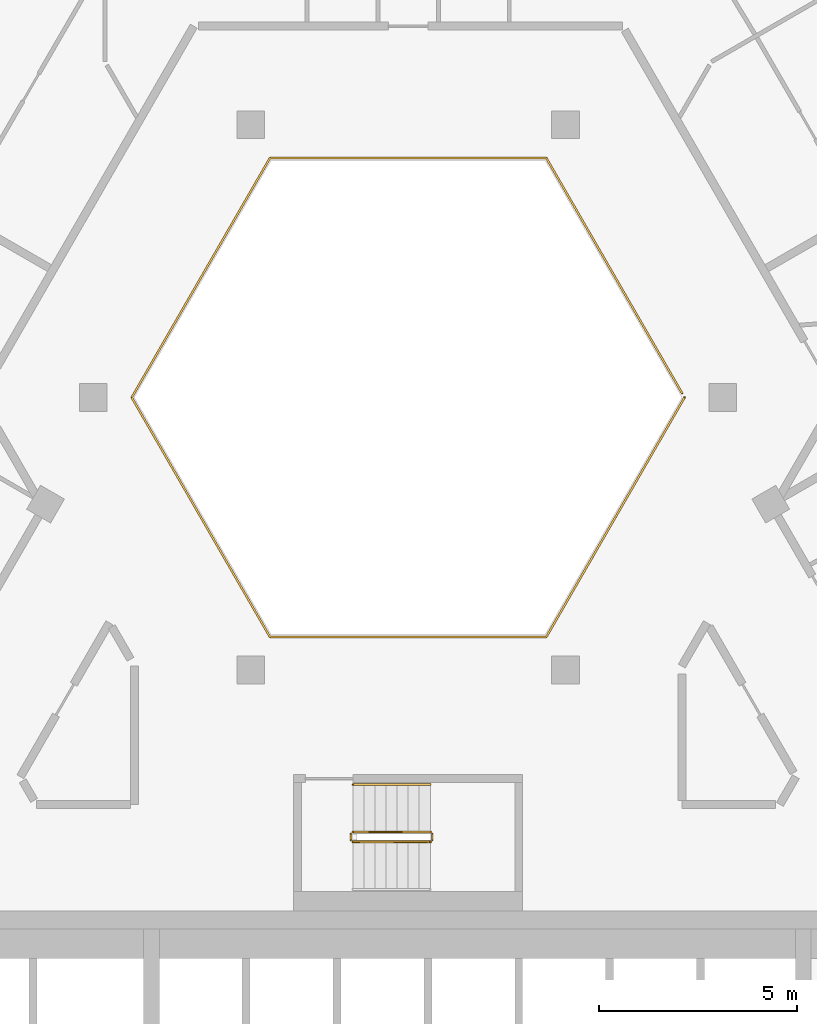
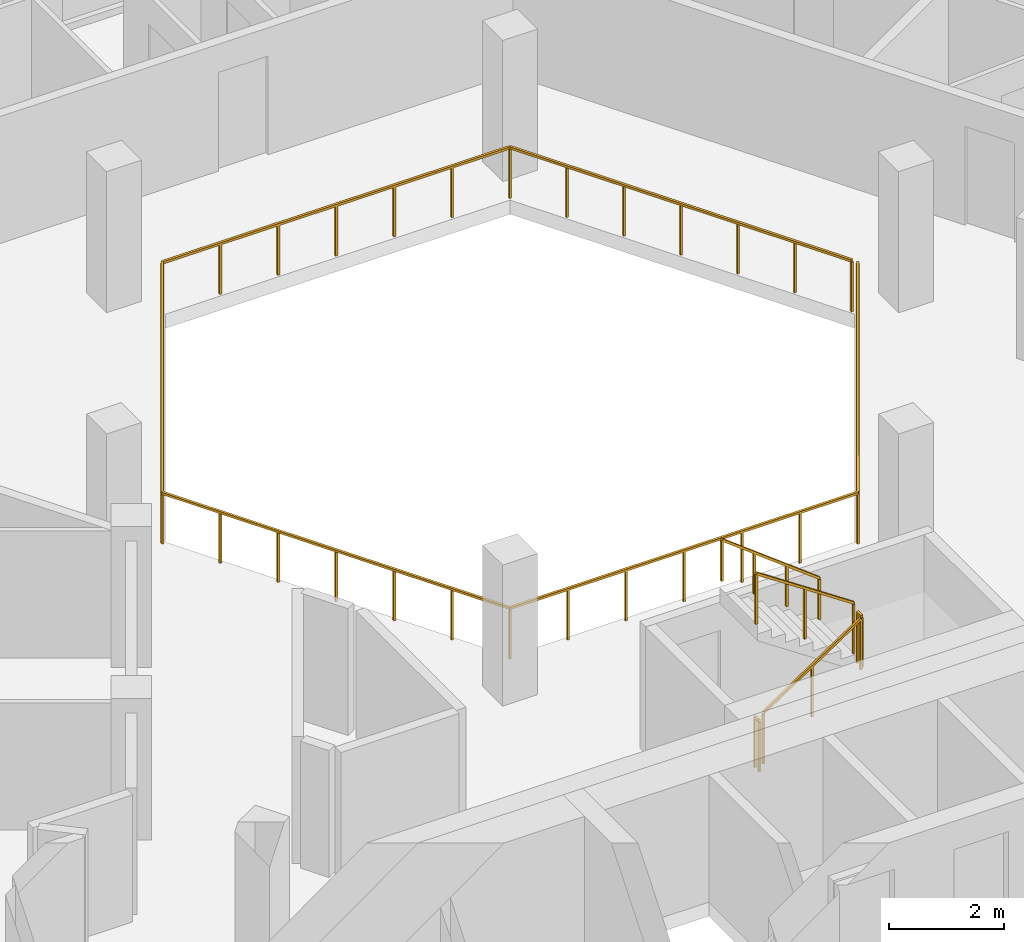
# One storey, part 12 of 14: 6 railings.
"""IFC4 building model written with IfcOpenShell, lengths in metres."""

from ifc_helpers import new_model, si_unit, direction, frame, origin, origin_2d, place, context, subcontext, project, spatial, rectangle, extrude, material, type_object, element, save


model = new_model("IFC4")

# Units and contexts
model_context = context("Model", 3, precision=1e-05, world=origin(), true_north=direction((0.0, 1.0)))
body_context = subcontext(model_context, "Body", "Model", "MODEL_VIEW")
ifc_project = project(units=[si_unit("LENGTHUNIT", "METRE"), si_unit("AREAUNIT", "SQUARE_METRE"), si_unit("VOLUMEUNIT", "CUBIC_METRE"), si_unit("PLANEANGLEUNIT", "RADIAN"), si_unit("MASSUNIT", "GRAM", prefix="KILO")], contexts=[model_context])

# Site, building, storey
site_placement = place(None, origin())
site = spatial("IfcSite", under=ifc_project, at=site_placement, CompositionType="ELEMENT")
building_placement = place(site_placement, origin())
building = spatial("IfcBuilding", under=site, at=building_placement, Name="Beryl Residences", CompositionType="ELEMENT")
storey_placement = place(building_placement, frame((0.0, 0.0, 229.800048828125)))
storey = spatial("IfcBuildingStorey", under=building, at=storey_placement, Name="L71", CompositionType="ELEMENT", Elevation=229.800048828125)

# Railings
ifc_material_1 = material(Name="Stainless steel balustrade with glass infill", Category="steel")
railing_type_1 = type_object("IfcRailingType", Name="EG1 edge guard 1100 mm", PredefinedType="GUARDRAIL", material=ifc_material_1)
railing_1_placement = place(storey_placement, frame((6.9970703125, 8.0, 0.0)))
element("IfcRailing", 1, at=railing_1_placement, inside=storey, type_object=railing_type_1, Name="L71 atrium guard", PredefinedType="GUARDRAIL", context=body_context, shape_type="SweptSolid", body=[
    extrude(rectangle(XDim=0.048095703125, YDim=0.048095703125, at=origin_2d()), frame((0.0, 0.0, 1.076171875), z_axis=(-0.499921796684, -0.866070549782, 0.0), x_axis=(0.866070549782, -0.499921796684, 0.0)), (0.0, 0.0, 1.0), 6.9970703125),
    extrude(rectangle(XDim=0.048095703125, YDim=0.048095703125, at=origin_2d()), frame((-3.498046875, -6.06005859375, 1.076171875), z_axis=(-1.0, 0.0, 0.0), x_axis=(0.0, -1.0, 0.0)), (0.0, 0.0, 1.0), 6.998046875),
    extrude(rectangle(XDim=0.048095703125, YDim=0.048095703125, at=origin_2d()), frame((-10.49609375, -6.06005859375, 1.076171875), z_axis=(-0.499921796684, 0.866070549782, 0.0), x_axis=(-0.866070549782, -0.499921796684, 0.0)), (0.0, 0.0, 1.0), 6.9970703125),
    extrude(rectangle(XDim=0.048095703125, YDim=0.048095703125, at=origin_2d()), frame((-13.994140625, 0.0, 1.076171875), z_axis=(0.499921796684, 0.866070549782, 0.0), x_axis=(-0.866070549782, 0.499921796684, 0.0)), (0.0, 0.0, 1.0), 6.9970703125),
    extrude(rectangle(XDim=0.048095703125, YDim=0.048095703125, at=origin_2d()), frame((-10.49609375, 6.06005859375, 1.076171875), z_axis=(1.0, 0.0, 0.0), x_axis=(0.0, 1.0, 0.0)), (0.0, 0.0, 1.0), 6.998046875),
    extrude(rectangle(XDim=0.048095703125, YDim=0.048095703125, at=origin_2d()), frame((-3.498046875, 6.06005859375, 1.076171875), z_axis=(0.499919131929, -0.866072087953, 0.0), x_axis=(0.866072087953, 0.499919131929, 0.0)), (0.0, 0.0, 1.0), 6.877197265625),
    extrude(rectangle(XDim=0.0419921875, YDim=0.0419921875, at=origin_2d()), origin(), (0.0, 0.0, 1.0), 1.052001953125),
    extrude(rectangle(XDim=0.0419921875, YDim=0.0419921875, at=origin_2d()), frame((-0.5830078125, -1.010009765625, 0.0)), (0.0, 0.0, 1.0), 1.052001953125),
    extrude(rectangle(XDim=0.0419921875, YDim=0.0419921875, at=origin_2d()), frame((-1.166015625, -2.02001953125, 0.0)), (0.0, 0.0, 1.0), 1.052001953125),
    extrude(rectangle(XDim=0.0419921875, YDim=0.0419921875, at=origin_2d()), frame((-1.7490234375, -3.030029296875, 0.0)), (0.0, 0.0, 1.0), 1.052001953125),
    extrude(rectangle(XDim=0.0419921875, YDim=0.0419921875, at=origin_2d()), frame((-2.33203125, -4.0400390625, 0.0)), (0.0, 0.0, 1.0), 1.052001953125),
    extrude(rectangle(XDim=0.0419921875, YDim=0.0419921875, at=origin_2d()), frame((-2.9150390625, -5.050048828125, 0.0)), (0.0, 0.0, 1.0), 1.052001953125),
    extrude(rectangle(XDim=0.0419921875, YDim=0.0419921875, at=origin_2d()), frame((-3.498046875, -6.06005859375, 0.0)), (0.0, 0.0, 1.0), 1.052001953125),
    extrude(rectangle(XDim=0.0419921875, YDim=0.0419921875, at=origin_2d()), frame((-4.664306640625, -6.06005859375, 0.0)), (0.0, 0.0, 1.0), 1.052001953125),
    extrude(rectangle(XDim=0.0419921875, YDim=0.0419921875, at=origin_2d()), frame((-5.830810546875, -6.06005859375, 0.0)), (0.0, 0.0, 1.0), 1.052001953125),
    extrude(rectangle(XDim=0.0419921875, YDim=0.0419921875, at=origin_2d()), frame((-6.9970703125, -6.06005859375, 0.0)), (0.0, 0.0, 1.0), 1.052001953125),
    extrude(rectangle(XDim=0.0419921875, YDim=0.0419921875, at=origin_2d()), frame((-8.163330078125, -6.06005859375, 0.0)), (0.0, 0.0, 1.0), 1.052001953125),
    extrude(rectangle(XDim=0.0419921875, YDim=0.0419921875, at=origin_2d()), frame((-9.329833984375, -6.06005859375, 0.0)), (0.0, 0.0, 1.0), 1.052001953125),
    extrude(rectangle(XDim=0.0419921875, YDim=0.0419921875, at=origin_2d()), frame((-10.49609375, -6.06005859375, 0.0)), (0.0, 0.0, 1.0), 1.052001953125),
    extrude(rectangle(XDim=0.0419921875, YDim=0.0419921875, at=origin_2d()), frame((-11.0791015625, -5.050048828125, 0.0)), (0.0, 0.0, 1.0), 1.052001953125),
    extrude(rectangle(XDim=0.0419921875, YDim=0.0419921875, at=origin_2d()), frame((-11.662109375, -4.0400390625, 0.0)), (0.0, 0.0, 1.0), 1.052001953125),
    extrude(rectangle(XDim=0.0419921875, YDim=0.0419921875, at=origin_2d()), frame((-12.2451171875, -3.030029296875, 0.0)), (0.0, 0.0, 1.0), 1.052001953125),
    extrude(rectangle(XDim=0.0419921875, YDim=0.0419921875, at=origin_2d()), frame((-12.828125, -2.02001953125, 0.0)), (0.0, 0.0, 1.0), 1.052001953125),
    extrude(rectangle(XDim=0.0419921875, YDim=0.0419921875, at=origin_2d()), frame((-13.4111328125, -1.010009765625, 0.0)), (0.0, 0.0, 1.0), 1.052001953125),
    extrude(rectangle(XDim=0.0419921875, YDim=0.0419921875, at=origin_2d()), frame((-13.994140625, 0.0, 0.0)), (0.0, 0.0, 1.0), 1.052001953125),
    extrude(rectangle(XDim=0.0419921875, YDim=0.0419921875, at=origin_2d()), frame((-13.4111328125, 1.010009765625, 0.0)), (0.0, 0.0, 1.0), 1.052001953125),
    extrude(rectangle(XDim=0.0419921875, YDim=0.0419921875, at=origin_2d()), frame((-12.828125, 2.02001953125, 0.0)), (0.0, 0.0, 1.0), 1.052001953125),
    extrude(rectangle(XDim=0.0419921875, YDim=0.0419921875, at=origin_2d()), frame((-12.2451171875, 3.030029296875, 0.0)), (0.0, 0.0, 1.0), 1.052001953125),
    extrude(rectangle(XDim=0.0419921875, YDim=0.0419921875, at=origin_2d()), frame((-11.662109375, 4.0400390625, 0.0)), (0.0, 0.0, 1.0), 1.052001953125),
    extrude(rectangle(XDim=0.0419921875, YDim=0.0419921875, at=origin_2d()), frame((-11.0791015625, 5.050048828125, 0.0)), (0.0, 0.0, 1.0), 1.052001953125),
    extrude(rectangle(XDim=0.0419921875, YDim=0.0419921875, at=origin_2d()), frame((-10.49609375, 6.06005859375, 0.0)), (0.0, 0.0, 1.0), 1.052001953125),
    extrude(rectangle(XDim=0.0419921875, YDim=0.0419921875, at=origin_2d()), frame((-9.329833984375, 6.06005859375, 0.0)), (0.0, 0.0, 1.0), 1.052001953125),
    extrude(rectangle(XDim=0.0419921875, YDim=0.0419921875, at=origin_2d()), frame((-8.163330078125, 6.06005859375, 0.0)), (0.0, 0.0, 1.0), 1.052001953125),
    extrude(rectangle(XDim=0.0419921875, YDim=0.0419921875, at=origin_2d()), frame((-6.9970703125, 6.06005859375, 0.0)), (0.0, 0.0, 1.0), 1.052001953125),
    extrude(rectangle(XDim=0.0419921875, YDim=0.0419921875, at=origin_2d()), frame((-5.830810546875, 6.06005859375, 0.0)), (0.0, 0.0, 1.0), 1.052001953125),
    extrude(rectangle(XDim=0.0419921875, YDim=0.0419921875, at=origin_2d()), frame((-4.664306640625, 6.06005859375, 0.0)), (0.0, 0.0, 1.0), 1.052001953125),
    extrude(rectangle(XDim=0.0419921875, YDim=0.0419921875, at=origin_2d()), frame((-3.498046875, 6.06005859375, 0.0)), (0.0, 0.0, 1.0), 1.052001953125),
    extrude(rectangle(XDim=0.0419921875, YDim=0.0419921875, at=origin_2d()), frame((-2.925048828125, 5.0673828125, 0.0)), (0.0, 0.0, 1.0), 1.052001953125),
    extrude(rectangle(XDim=0.0419921875, YDim=0.0419921875, at=origin_2d()), frame((-2.35205078125, 4.07470703125, 0.0)), (0.0, 0.0, 1.0), 1.052001953125),
    extrude(rectangle(XDim=0.0419921875, YDim=0.0419921875, at=origin_2d()), frame((-1.779052734375, 3.08203125, 0.0)), (0.0, 0.0, 1.0), 1.052001953125),
    extrude(rectangle(XDim=0.0419921875, YDim=0.0419921875, at=origin_2d()), frame((-1.2060546875, 2.08935546875, 0.0)), (0.0, 0.0, 1.0), 1.052001953125),
    extrude(rectangle(XDim=0.0419921875, YDim=0.0419921875, at=origin_2d()), frame((-0.633056640625, 1.0966796875, 0.0)), (0.0, 0.0, 1.0), 1.052001953125),
    extrude(rectangle(XDim=0.0419921875, YDim=0.0419921875, at=origin_2d()), frame((-0.06005859375, 0.10400390625, 0.0)), (0.0, 0.0, 1.0), 1.052001953125),
])
ifc_material_2 = material(Name="Stainless steel balustrade with glass infill", Category="steel")
railing_type_2 = type_object("IfcRailingType", Name="SG1 stair guard 1100 mm", PredefinedType="GUARDRAIL", material=ifc_material_2)
railing_2_placement = place(storey_placement, frame((-1.39990234375, -3.25, 0.1875)))
element("IfcRailing", 2, at=railing_2_placement, inside=storey, type_object=railing_type_2, Name="L71 ST-4 stair guard 1", PredefinedType="GUARDRAIL", context=body_context, shape_type="SweptSolid", body=[
    extrude(rectangle(XDim=0.048095703125, YDim=0.048095703125, at=origin_2d()), frame((0.0, 0.0, 1.076171875), z_axis=(0.830902050051, 0.0, 0.556418712142), x_axis=(0.0, 1.0, 0.0)), (0.0, 0.0, 1.0), 2.35888671875),
    extrude(rectangle(XDim=0.0419921875, YDim=0.0419921875, at=origin_2d()), origin(), (0.0, 0.0, 1.0), 1.052001953125),
    extrude(rectangle(XDim=0.0419921875, YDim=0.0419921875, at=origin_2d()), frame((0.97998046875, 0.0, 0.65625)), (0.0, 0.0, 1.0), 1.052001953125),
    extrude(rectangle(XDim=0.0419921875, YDim=0.0419921875, at=origin_2d()), frame((1.9599609375, 0.0, 1.3125)), (0.0, 0.0, 1.0), 1.052001953125),
])
railing_3_placement = place(storey_placement, frame((0.610107421875, -3.199951171875, 1.5)))
element("IfcRailing", 3, at=railing_3_placement, inside=storey, type_object=railing_type_2, Name="L71 ST-4 stair guard 2", PredefinedType="GUARDRAIL", context=body_context, shape_type="SweptSolid", body=[
    extrude(rectangle(XDim=0.048095703125, YDim=0.048095703125, at=origin_2d()), frame((0.0, 0.0, 1.076171875), z_axis=(0.0, 1.0, 0.0), x_axis=(-1.0, 0.0, 0.0)), (0.0, 0.0, 1.0), 0.14990234375),
    extrude(rectangle(XDim=0.0419921875, YDim=0.0419921875, at=origin_2d()), origin(), (0.0, 0.0, 1.0), 1.052001953125),
    extrude(rectangle(XDim=0.0419921875, YDim=0.0419921875, at=origin_2d()), frame((0.0, 0.14990234375, 0.0)), (0.0, 0.0, 1.0), 1.052001953125),
])
railing_4_placement = place(storey_placement, frame((0.56005859375, -3.0, 1.6875)))
element("IfcRailing", 4, at=railing_4_placement, inside=storey, type_object=railing_type_2, Name="L71 ST-4 stair guard 3", PredefinedType="GUARDRAIL", context=body_context, shape_type="SweptSolid", body=[
    extrude(rectangle(XDim=0.048095703125, YDim=0.048095703125, at=origin_2d()), frame((0.0, 0.0, 1.076171875), z_axis=(-0.830902050051, 0.0, 0.556418712142), x_axis=(0.0, -1.0, 0.0)), (0.0, 0.0, 1.0), 2.35888671875),
    extrude(rectangle(XDim=0.0419921875, YDim=0.0419921875, at=origin_2d()), origin(), (0.0, 0.0, 1.0), 1.052001953125),
    extrude(rectangle(XDim=0.0419921875, YDim=0.0419921875, at=origin_2d()), frame((-0.97998046875, 0.0, 0.65625)), (0.0, 0.0, 1.0), 1.052001953125),
    extrude(rectangle(XDim=0.0419921875, YDim=0.0419921875, at=origin_2d()), frame((-1.9599609375, 0.0, 1.3125)), (0.0, 0.0, 1.0), 1.052001953125),
])
railing_5_placement = place(storey_placement, frame((-1.449951171875, -3.199951171875, 0.0)))
element("IfcRailing", 5, at=railing_5_placement, inside=storey, type_object=railing_type_2, Name="L71 ST-4 stair guard 4", PredefinedType="GUARDRAIL", context=body_context, shape_type="SweptSolid", body=[
    extrude(rectangle(XDim=0.048095703125, YDim=0.048095703125, at=origin_2d()), frame((0.0, 0.0, 1.076171875), z_axis=(0.0, 1.0, 0.0), x_axis=(-1.0, 0.0, 0.0)), (0.0, 0.0, 1.0), 0.14990234375),
    extrude(rectangle(XDim=0.0419921875, YDim=0.0419921875, at=origin_2d()), origin(), (0.0, 0.0, 1.0), 1.052001953125),
    extrude(rectangle(XDim=0.0419921875, YDim=0.0419921875, at=origin_2d()), frame((0.0, 0.14990234375, 0.0)), (0.0, 0.0, 1.0), 1.052001953125),
])
ifc_material_3 = material(Name="Stainless steel handrail", Category="steel")
railing_type_3 = type_object("IfcRailingType", Name="SRL1 stair handrail 900 mm", PredefinedType="HANDRAIL", material=ifc_material_3)
railing_6_placement = place(storey_placement, frame((0.56005859375, -1.800048828125, 1.6875)))
element("IfcRailing", 6, at=railing_6_placement, inside=storey, type_object=railing_type_3, Name="L71 ST-4 stair handrail 2", PredefinedType="HANDRAIL", context=body_context, shape_type="SweptSolid", body=[
    extrude(rectangle(XDim=0.048095703125, YDim=0.048095703125, at=origin_2d()), frame((0.0, 0.0, 0.8759765625), z_axis=(-0.794121922505, 0.0, 0.607758481798), x_axis=(0.0, -1.0, 0.0)), (0.0, 0.0, 1.0), 2.468017578125),
    extrude(rectangle(XDim=0.0419921875, YDim=0.0419921875, at=origin_2d()), origin(), (0.0, 0.0, 1.0), 0.851806640625),
    extrude(rectangle(XDim=0.0419921875, YDim=0.0419921875, at=origin_2d()), frame((-0.6533203125, 0.0, 0.5)), (0.0, 0.0, 1.0), 0.851806640625),
    extrude(rectangle(XDim=0.0419921875, YDim=0.0419921875, at=origin_2d()), frame((-1.306640625, 0.0, 1.0)), (0.0, 0.0, 1.0), 0.851806640625),
    extrude(rectangle(XDim=0.0419921875, YDim=0.0419921875, at=origin_2d()), frame((-1.9599609375, 0.0, 1.5)), (0.0, 0.0, 1.0), 0.851806640625),
])

save(model, "model.ifc")
